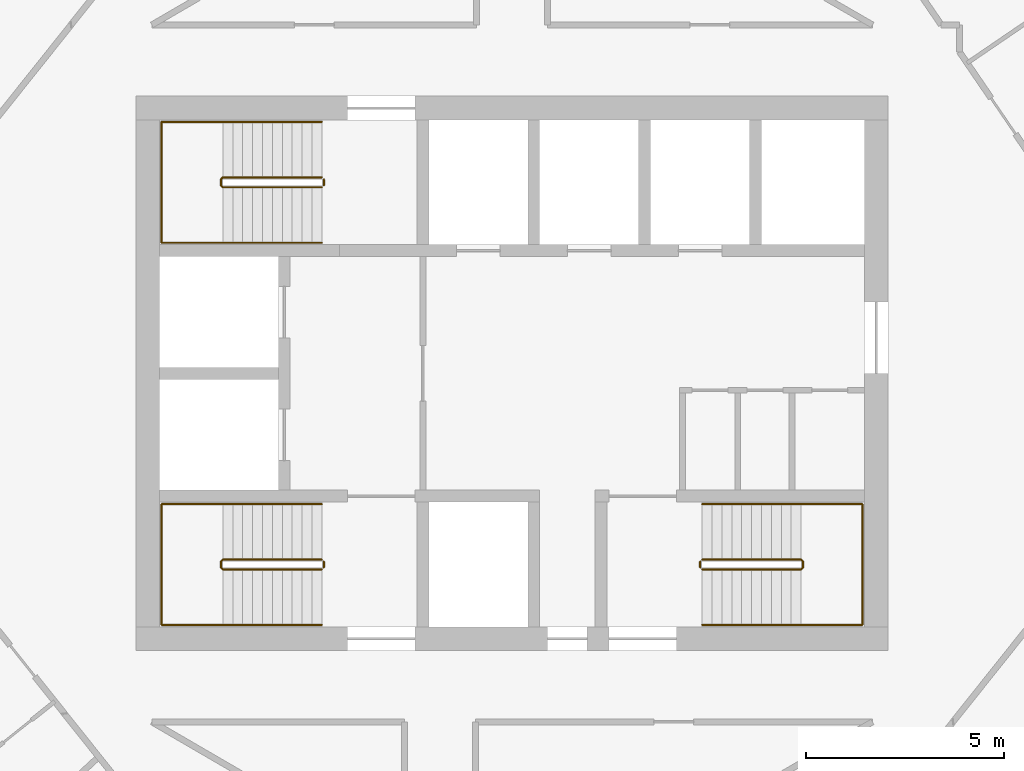
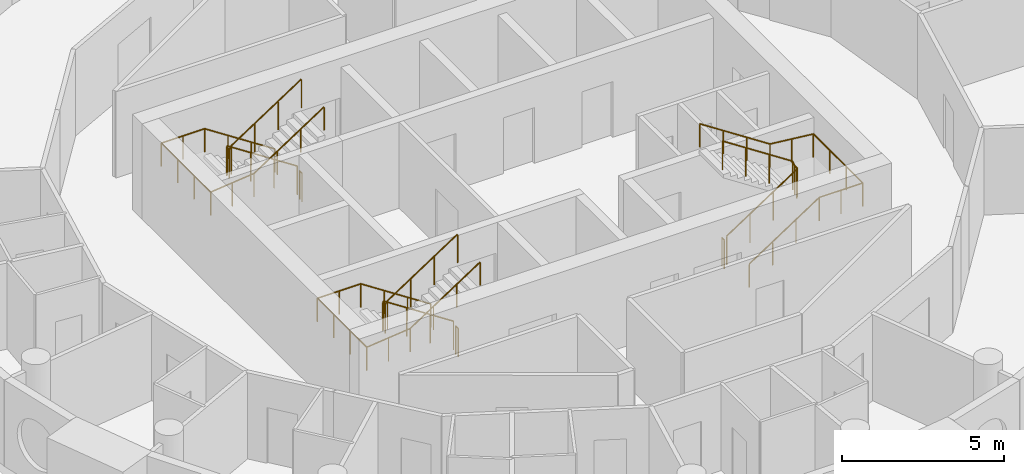
# One storey, part 12 of 12: 9 railings.
"""IFC4 building model written with IfcOpenShell, lengths in metres."""

import ifcopenshell
import ifcopenshell.guid

model = None  # the IFC model being written
_history = None  # IfcOwnerHistory: only IFC2X3 demands one
_inside = {}  # id of a spatial element -> (the spatial element, [elements in it])
_under = {}  # id of a project, library or spatial element -> (it, [spatial elements below it])
_declared = {}  # id of a project -> (the project, [libraries it declares])
_typed = {}  # id of a type object -> (the type object, [elements of that type])
_made_of = {}  # id of a material, layer set ... -> (it, [elements and type objects made of it])


def new_model(schema):
    """Start an empty IFC model of exactly this schema.

    Asked for "IFC4X3", IfcOpenShell would pick the latest addendum, in which some entities
    have other attributes; the version numbers below select the first issue.
    IFC2X3 requires an IfcOwnerHistory on every rooted entity: one is made here for all.
    """
    global model, _history
    if schema == "IFC4X3":
        model = ifcopenshell.file(schema_version=(4, 3, 0, 0))
    else:
        model = ifcopenshell.file(schema=schema)
    _inside.clear()
    _under.clear()
    _declared.clear()
    _typed.clear()
    _made_of.clear()
    _history = None
    if model.schema == "IFC2X3":
        org = make("IfcOrganization", Name="unknown")
        user = make(
            "IfcPersonAndOrganization",
            ThePerson=make("IfcPerson", FamilyName="unknown"),
            TheOrganization=org,
        )
        app = make(
            "IfcApplication",
            ApplicationDeveloper=org,
            Version="unknown",
            ApplicationFullName="unknown",
            ApplicationIdentifier="unknown",
        )
        _history = make(
            "IfcOwnerHistory",
            OwningUser=user,
            OwningApplication=app,
            ChangeAction="ADDED",
            CreationDate=0,
        )
    return model


def make(cls, **values):
    """One entity of the class cls with the attributes given. An attribute that is None is left unset."""
    return model.create_entity(
        cls, **{name: value for name, value in values.items() if value is not None}
    )


def rooted(cls, **values):
    """An entity with a GlobalId (a new one), such as an element, a storey or a relation."""
    return make(cls, GlobalId=ifcopenshell.guid.new(), OwnerHistory=_history, **values)


def si_unit(unit_type, name, prefix=None):
    """IfcSIUnit, for example si_unit("LENGTHUNIT", "METRE", prefix="MILLI")."""
    return make("IfcSIUnit", UnitType=unit_type, Prefix=prefix, Name=name)


def assignment(units):
    """IfcUnitAssignment: the units of a project."""
    return None if units is None else make("IfcUnitAssignment", Units=units)


def point(xyz):
    """IfcCartesianPoint."""
    return None if xyz is None else make("IfcCartesianPoint", Coordinates=xyz)


def direction(xyz):
    """IfcDirection."""
    return None if xyz is None else make("IfcDirection", DirectionRatios=xyz)


def frame(location, z_axis=None, x_axis=None):
    """IfcAxis2Placement3D, a coordinate frame: its origin and axes. An axis left out is left unset."""
    return make(
        "IfcAxis2Placement3D",
        Location=point(location),
        Axis=direction(z_axis),
        RefDirection=direction(x_axis),
    )


def frame_2d(location, x_axis=None):
    """IfcAxis2Placement2D, a coordinate frame in the plane: its origin and x axis."""
    return make(
        "IfcAxis2Placement2D", Location=point(location), RefDirection=direction(x_axis)
    )


def origin():
    """The frame at (0, 0, 0) with its axes left unset."""
    return frame((0.0, 0.0, 0.0))


def origin_2d():
    """The frame at (0, 0) in the plane with its x axis left unset."""
    return frame_2d((0.0, 0.0))


def place(relative_to, where):
    """IfcLocalPlacement: puts the frame where relative to a parent placement (None: the world)."""
    return make(
        "IfcLocalPlacement", PlacementRelTo=relative_to, RelativePlacement=where
    )


def context(
    kind, dimensions, precision=None, world=None, true_north=None, identifier=None
):
    """IfcGeometricRepresentationContext, for example the 3D "Model" context."""
    return make(
        "IfcGeometricRepresentationContext",
        ContextIdentifier=identifier,
        ContextType=kind,
        CoordinateSpaceDimension=dimensions,
        Precision=precision,
        WorldCoordinateSystem=world,
        TrueNorth=true_north,
    )


def subcontext(parent, identifier, kind, view, scale=None):
    """IfcGeometricRepresentationSubContext, for example "Body" below "Model"."""
    return make(
        "IfcGeometricRepresentationSubContext",
        ContextIdentifier=identifier,
        ContextType=kind,
        ParentContext=parent,
        TargetScale=scale,
        TargetView=view,
    )


def project(units=None, contexts=None):
    """IfcProject with its units and contexts."""
    return rooted(
        "IfcProject",
        Name="project",
        RepresentationContexts=contexts,
        UnitsInContext=assignment(units),
    )


def spatial(cls, under=None, at=None, **own):
    """A site, building, storey or space (cls), placed at a placement, below another one or the project."""
    s = rooted(cls, ObjectPlacement=at, **own)
    if under is not None:
        _under.setdefault(under.id(), (under, []))[1].append(s)
    return s


def profile(cls, at=None, kind="AREA", **sizes):
    """A parametric profile (cls). Its sizes go by their IFC names, for example OverallWidth=200.0."""
    return make(cls, ProfileType=kind, Position=at, **sizes)


def circle(**sizes):
    """IfcCircleProfileDef."""
    return profile("IfcCircleProfileDef", **sizes)


def extrude(swept, where, along, depth):
    """IfcExtrudedAreaSolid: the profile swept, set in the frame where, extruded along a direction by depth."""
    return make(
        "IfcExtrudedAreaSolid",
        SweptArea=swept,
        Position=where,
        ExtrudedDirection=direction(along),
        Depth=depth,
    )


def shape(context_of_items, identifier, shape_type, items):
    """IfcShapeRepresentation: the items that make up one representation, for example the "Body"."""
    return make(
        "IfcShapeRepresentation",
        ContextOfItems=context_of_items,
        RepresentationIdentifier=identifier,
        RepresentationType=shape_type,
        Items=items,
    )


def material(Name=None, Category=None):
    """IfcMaterial."""
    return make("IfcMaterial", Name=Name, Category=Category)


def made_of(thing, what):
    """Note that an element or type object is made of a material, layer set ...; save() writes the relation."""
    if what is not None:
        _made_of.setdefault(what.id(), (what, []))[1].append(thing)
    return thing


def type_object(cls, material=None, **own):
    """A type object (cls), such as IfcWallType, which elements share."""
    return made_of(rooted(cls, **own), material)


def element(
    cls,
    number,
    at=None,
    inside=None,
    cuts=None,
    type_object=None,
    material=None,
    context=None,
    identifier="Body",
    shape_type=None,
    held_by="IfcProductDefinitionShape",
    body=None,
    shapes=None,
    **own,
):
    """One element of the class cls, such as IfcWall. Its Tag is "e" and its number.

    at: its placement. inside: the storey or other place that contains it. cuts: it is an
    opening in that element (IfcRelVoidsElement). A single representation is given by context,
    identifier, shape_type and body (its items); several are given by shapes. held_by: the class
    of the entity that holds the representations. save() writes the other relations.
    """
    e = rooted(cls, Tag="e%d" % number, ObjectPlacement=at, **own)
    if body is not None:
        shapes = [shape(context, identifier, shape_type, body)]
    if shapes is not None:
        e.Representation = make(held_by, Representations=shapes)
    if inside is not None:
        _inside.setdefault(inside.id(), (inside, []))[1].append(e)
    if cuts is not None:
        rooted(
            "IfcRelVoidsElement", RelatingBuildingElement=cuts, RelatedOpeningElement=e
        )
    if type_object is not None:
        _typed.setdefault(type_object.id(), (type_object, []))[1].append(e)
    return made_of(e, material)


def aggregate(whole, parts):
    """IfcRelAggregates: a whole, such as a stair, and the parts it consists of."""
    return rooted("IfcRelAggregates", RelatingObject=whole, RelatedObjects=parts)


def save(model, path):
    """Write the relations noted so far, then the file.

    IfcRelAggregates (storeys below a building ...), IfcRelContainedInSpatialStructure (elements
    in a storey), IfcRelDefinesByType, IfcRelAssociatesMaterial and IfcRelDeclares: one each for
    every whole, place, type object, material and project.
    """
    for whole, parts in _under.values():
        aggregate(whole, parts)
    for where, things in _inside.values():
        rooted(
            "IfcRelContainedInSpatialStructure",
            RelatedElements=things,
            RelatingStructure=where,
        )
    for kind, things in _typed.values():
        rooted("IfcRelDefinesByType", RelatedObjects=things, RelatingType=kind)
    for what, things in _made_of.values():
        rooted("IfcRelAssociatesMaterial", RelatedObjects=things, RelatingMaterial=what)
    for by, libraries in _declared.values():
        rooted("IfcRelDeclares", RelatingContext=by, RelatedDefinitions=libraries)
    model.write(path)


model = new_model("IFC4")

# Units and contexts
model_context = context("Model", 3, precision=1e-05, world=origin(), true_north=direction((0.0, 1.0)))
body_context = subcontext(model_context, "Body", "Model", "MODEL_VIEW")
ifc_project = project(units=[si_unit("LENGTHUNIT", "METRE"), si_unit("AREAUNIT", "SQUARE_METRE"), si_unit("VOLUMEUNIT", "CUBIC_METRE"), si_unit("PLANEANGLEUNIT", "RADIAN"), si_unit("MASSUNIT", "GRAM", prefix="KILO")], contexts=[model_context])

# Site, building, storey
site_placement = place(None, origin())
site = spatial("IfcSite", under=ifc_project, at=site_placement, CompositionType="ELEMENT")
building_placement = place(site_placement, origin())
building = spatial("IfcBuilding", under=site, at=building_placement, Name="Tracery Tower", CompositionType="ELEMENT")
storey_placement = place(building_placement, frame((0.0, 0.0, 291.0)))
storey = spatial("IfcBuildingStorey", under=building, at=storey_placement, Name="L75", CompositionType="ELEMENT", Elevation=291.0)

# Railings
ifc_material_1 = material(Name="Stainless steel and laminated glass", Category="steel")
railing_type_1 = type_object("IfcRailingType", Name="Stair guard 1100", PredefinedType="GUARDRAIL", material=ifc_material_1)
railing_1_placement = place(storey_placement, frame((-4.800048828125, -4.699951171875, 0.16357421875)))
element("IfcRailing", 1, at=railing_1_placement, inside=storey, type_object=railing_type_1, Name="L75 stair ST1 guard 1", PredefinedType="GUARDRAIL", context=body_context, shape_type="SweptSolid", body=[
    extrude(circle(Radius=0.02392578125, at=origin_2d()), frame((0.0, 0.0, 1.076171875), z_axis=(-0.83668449804, 0.0, 0.54768517484), x_axis=(0.0, -1.0, 0.0)), (0.0, 0.0, 1.0), 2.988037109375),
    extrude(circle(Radius=0.02392578125, at=origin_2d()), frame((-2.5, 0.0, 2.71240234375), z_axis=(-0.707106781187, -0.707106781187, 0.0), x_axis=(0.707106781187, -0.707106781187, 0.0)), (0.0, 0.0, 1.0), 0.07080078125),
    extrude(circle(Radius=0.02392578125, at=origin_2d()), frame((-2.550048828125, -0.050048828125, 2.71240234375), z_axis=(0.0, -1.0, 0.0), x_axis=(1.0, 0.0, 0.0)), (0.0, 0.0, 1.0), 0.14990234375),
    extrude(circle(Radius=0.02392578125, at=origin_2d()), frame((-2.550048828125, -0.199951171875, 2.71240234375), z_axis=(0.280808744504, -0.280808744504, 0.917765164963), x_axis=(0.707106781187, 0.707106781187, 0.0)), (0.0, 0.0, 1.0), 0.17822265625),
    extrude(circle(Radius=0.02392578125, at=origin_2d()), frame((-2.5, -0.25, 2.8759765625), z_axis=(0.83668449804, 0.0, 0.54768517484), x_axis=(0.0, 1.0, 0.0)), (0.0, 0.0, 1.0), 2.988037109375),
    extrude(circle(Radius=0.02099609375, at=origin_2d()), origin(), (0.0, 0.0, 1.0), 1.052001953125),
    extrude(circle(Radius=0.02099609375, at=origin_2d()), frame((-0.833251953125, 0.0, 0.54541015625)), (0.0, 0.0, 1.0), 1.052001953125),
    extrude(circle(Radius=0.02099609375, at=origin_2d()), frame((-1.666748046875, 0.0, 1.091064453125)), (0.0, 0.0, 1.0), 1.052001953125),
    extrude(circle(Radius=0.02099609375, at=origin_2d()), frame((-2.5, 0.0, 1.636474609375)), (0.0, 0.0, 1.0), 1.052001953125),
    extrude(circle(Radius=0.02099609375, at=origin_2d()), frame((-2.550048828125, -0.050048828125, 1.636474609375)), (0.0, 0.0, 1.0), 1.052001953125),
    extrude(circle(Radius=0.02099609375, at=origin_2d()), frame((-2.550048828125, -0.199951171875, 1.636474609375)), (0.0, 0.0, 1.0), 1.052001953125),
    extrude(circle(Radius=0.02099609375, at=origin_2d()), frame((-2.5, -0.25, 1.800048828125)), (0.0, 0.0, 1.0), 1.052001953125),
    extrude(circle(Radius=0.02099609375, at=origin_2d()), frame((-1.666748046875, -0.25, 2.345458984375)), (0.0, 0.0, 1.0), 1.052001953125),
    extrude(circle(Radius=0.02099609375, at=origin_2d()), frame((-0.833251953125, -0.25, 2.89111328125)), (0.0, 0.0, 1.0), 1.052001953125),
    extrude(circle(Radius=0.02099609375, at=origin_2d()), frame((0.0, -0.25, 3.4365234375)), (0.0, 0.0, 1.0), 1.052001953125),
])
railing_2_placement = place(storey_placement, frame((-4.75, -4.75, 0.0)))
element("IfcRailing", 2, at=railing_2_placement, inside=storey, type_object=railing_type_1, Name="L75 stair ST1 guard 2", PredefinedType="GUARDRAIL", context=body_context, shape_type="SweptSolid", body=[
    extrude(circle(Radius=0.02392578125, at=origin_2d()), frame((0.0, 0.0, 1.076171875), z_axis=(0.0, -1.0, 0.0), x_axis=(1.0, 0.0, 0.0)), (0.0, 0.0, 1.0), 0.14990234375),
    extrude(circle(Radius=0.02099609375, at=origin_2d()), origin(), (0.0, 0.0, 1.0), 1.052001953125),
    extrude(circle(Radius=0.02099609375, at=origin_2d()), frame((0.0, -0.14990234375, 0.0)), (0.0, 0.0, 1.0), 1.052001953125),
])
railing_3_placement = place(storey_placement, frame((-4.800048828125, 4.949951171875, 0.16357421875)))
element("IfcRailing", 3, at=railing_3_placement, inside=storey, type_object=railing_type_1, Name="L75 stair ST3 guard 1", PredefinedType="GUARDRAIL", context=body_context, shape_type="SweptSolid", body=[
    extrude(circle(Radius=0.02392578125, at=origin_2d()), frame((0.0, 0.0, 1.076171875), z_axis=(-0.83668449804, 0.0, 0.54768517484), x_axis=(0.0, -1.0, 0.0)), (0.0, 0.0, 1.0), 2.988037109375),
    extrude(circle(Radius=0.02392578125, at=origin_2d()), frame((-2.5, 0.0, 2.71240234375), z_axis=(-0.707106781187, -0.707106781187, 0.0), x_axis=(0.707106781187, -0.707106781187, 0.0)), (0.0, 0.0, 1.0), 0.07080078125),
    extrude(circle(Radius=0.02392578125, at=origin_2d()), frame((-2.550048828125, -0.050048828125, 2.71240234375), z_axis=(0.0, -1.0, 0.0), x_axis=(1.0, 0.0, 0.0)), (0.0, 0.0, 1.0), 0.14990234375),
    extrude(circle(Radius=0.02392578125, at=origin_2d()), frame((-2.550048828125, -0.199951171875, 2.71240234375), z_axis=(0.280808744504, -0.280808744504, 0.917765164963), x_axis=(0.707106781187, 0.707106781187, 0.0)), (0.0, 0.0, 1.0), 0.17822265625),
    extrude(circle(Radius=0.02392578125, at=origin_2d()), frame((-2.5, -0.25, 2.8759765625), z_axis=(0.83668449804, 0.0, 0.54768517484), x_axis=(0.0, 1.0, 0.0)), (0.0, 0.0, 1.0), 2.988037109375),
    extrude(circle(Radius=0.02099609375, at=origin_2d()), origin(), (0.0, 0.0, 1.0), 1.052001953125),
    extrude(circle(Radius=0.02099609375, at=origin_2d()), frame((-0.833251953125, 0.0, 0.54541015625)), (0.0, 0.0, 1.0), 1.052001953125),
    extrude(circle(Radius=0.02099609375, at=origin_2d()), frame((-1.666748046875, 0.0, 1.091064453125)), (0.0, 0.0, 1.0), 1.052001953125),
    extrude(circle(Radius=0.02099609375, at=origin_2d()), frame((-2.5, 0.0, 1.636474609375)), (0.0, 0.0, 1.0), 1.052001953125),
    extrude(circle(Radius=0.02099609375, at=origin_2d()), frame((-2.550048828125, -0.050048828125, 1.636474609375)), (0.0, 0.0, 1.0), 1.052001953125),
    extrude(circle(Radius=0.02099609375, at=origin_2d()), frame((-2.550048828125, -0.199951171875, 1.636474609375)), (0.0, 0.0, 1.0), 1.052001953125),
    extrude(circle(Radius=0.02099609375, at=origin_2d()), frame((-2.5, -0.25, 1.800048828125)), (0.0, 0.0, 1.0), 1.052001953125),
    extrude(circle(Radius=0.02099609375, at=origin_2d()), frame((-1.666748046875, -0.25, 2.345458984375)), (0.0, 0.0, 1.0), 1.052001953125),
    extrude(circle(Radius=0.02099609375, at=origin_2d()), frame((-0.833251953125, -0.25, 2.89111328125)), (0.0, 0.0, 1.0), 1.052001953125),
    extrude(circle(Radius=0.02099609375, at=origin_2d()), frame((0.0, -0.25, 3.4365234375)), (0.0, 0.0, 1.0), 1.052001953125),
])
railing_4_placement = place(storey_placement, frame((-4.75, 4.89990234375, 0.0)))
element("IfcRailing", 4, at=railing_4_placement, inside=storey, type_object=railing_type_1, Name="L75 stair ST3 guard 2", PredefinedType="GUARDRAIL", context=body_context, shape_type="SweptSolid", body=[
    extrude(circle(Radius=0.02392578125, at=origin_2d()), frame((0.0, 0.0, 1.076171875), z_axis=(0.0, -1.0, 0.0), x_axis=(1.0, 0.0, 0.0)), (0.0, 0.0, 1.0), 0.14990234375),
    extrude(circle(Radius=0.02099609375, at=origin_2d()), origin(), (0.0, 0.0, 1.0), 1.052001953125),
    extrude(circle(Radius=0.02099609375, at=origin_2d()), frame((0.0, -0.14990234375, 0.0)), (0.0, 0.0, 1.0), 1.052001953125),
])
railing_5_placement = place(storey_placement, frame((4.800048828125, -4.949951171875, 0.16357421875)))
element("IfcRailing", 5, at=railing_5_placement, inside=storey, type_object=railing_type_1, Name="L75 stair ST2 guard 1", PredefinedType="GUARDRAIL", context=body_context, shape_type="SweptSolid", body=[
    extrude(circle(Radius=0.02392578125, at=origin_2d()), frame((0.0, 0.0, 1.076171875), z_axis=(0.83668449804, 0.0, 0.54768517484), x_axis=(0.0, 1.0, 0.0)), (0.0, 0.0, 1.0), 2.988037109375),
    extrude(circle(Radius=0.02392578125, at=origin_2d()), frame((2.5, 0.0, 2.71240234375), z_axis=(0.707106781187, 0.707106781187, 0.0), x_axis=(-0.707106781187, 0.707106781187, 0.0)), (0.0, 0.0, 1.0), 0.07080078125),
    extrude(circle(Radius=0.02392578125, at=origin_2d()), frame((2.550048828125, 0.050048828125, 2.71240234375), z_axis=(0.0, 1.0, 0.0), x_axis=(-1.0, 0.0, 0.0)), (0.0, 0.0, 1.0), 0.14990234375),
    extrude(circle(Radius=0.02392578125, at=origin_2d()), frame((2.550048828125, 0.199951171875, 2.71240234375), z_axis=(-0.280808744504, 0.280808744504, 0.917765164963), x_axis=(-0.707106781187, -0.707106781187, 0.0)), (0.0, 0.0, 1.0), 0.17822265625),
    extrude(circle(Radius=0.02392578125, at=origin_2d()), frame((2.5, 0.25, 2.8759765625), z_axis=(-0.83668449804, 0.0, 0.54768517484), x_axis=(0.0, -1.0, 0.0)), (0.0, 0.0, 1.0), 2.988037109375),
    extrude(circle(Radius=0.02099609375, at=origin_2d()), origin(), (0.0, 0.0, 1.0), 1.052001953125),
    extrude(circle(Radius=0.02099609375, at=origin_2d()), frame((0.833251953125, 0.0, 0.54541015625)), (0.0, 0.0, 1.0), 1.052001953125),
    extrude(circle(Radius=0.02099609375, at=origin_2d()), frame((1.666748046875, 0.0, 1.091064453125)), (0.0, 0.0, 1.0), 1.052001953125),
    extrude(circle(Radius=0.02099609375, at=origin_2d()), frame((2.5, 0.0, 1.636474609375)), (0.0, 0.0, 1.0), 1.052001953125),
    extrude(circle(Radius=0.02099609375, at=origin_2d()), frame((2.550048828125, 0.050048828125, 1.636474609375)), (0.0, 0.0, 1.0), 1.052001953125),
    extrude(circle(Radius=0.02099609375, at=origin_2d()), frame((2.550048828125, 0.199951171875, 1.636474609375)), (0.0, 0.0, 1.0), 1.052001953125),
    extrude(circle(Radius=0.02099609375, at=origin_2d()), frame((2.5, 0.25, 1.800048828125)), (0.0, 0.0, 1.0), 1.052001953125),
    extrude(circle(Radius=0.02099609375, at=origin_2d()), frame((1.666748046875, 0.25, 2.345458984375)), (0.0, 0.0, 1.0), 1.052001953125),
    extrude(circle(Radius=0.02099609375, at=origin_2d()), frame((0.833251953125, 0.25, 2.89111328125)), (0.0, 0.0, 1.0), 1.052001953125),
    extrude(circle(Radius=0.02099609375, at=origin_2d()), frame((0.0, 0.25, 3.4365234375)), (0.0, 0.0, 1.0), 1.052001953125),
])
railing_6_placement = place(storey_placement, frame((4.75, -4.89990234375, 0.0)))
element("IfcRailing", 6, at=railing_6_placement, inside=storey, type_object=railing_type_1, Name="L75 stair ST2 guard 2", PredefinedType="GUARDRAIL", context=body_context, shape_type="SweptSolid", body=[
    extrude(circle(Radius=0.02392578125, at=origin_2d()), frame((0.0, 0.0, 1.076171875), z_axis=(0.0, 1.0, 0.0), x_axis=(-1.0, 0.0, 0.0)), (0.0, 0.0, 1.0), 0.14990234375),
    extrude(circle(Radius=0.02099609375, at=origin_2d()), origin(), (0.0, 0.0, 1.0), 1.052001953125),
    extrude(circle(Radius=0.02099609375, at=origin_2d()), frame((0.0, 0.14990234375, 0.0)), (0.0, 0.0, 1.0), 1.052001953125),
])
ifc_material_2 = material(Name="Stainless steel and laminated glass", Category="steel")
railing_type_2 = type_object("IfcRailingType", Name="Stair handrail 900", PredefinedType="HANDRAIL", material=ifc_material_2)
railing_7_placement = place(storey_placement, frame((-4.800048828125, -3.300048828125, 0.16357421875)))
element("IfcRailing", 7, at=railing_7_placement, inside=storey, type_object=railing_type_2, Name="L75 stair ST1 handrail 1", PredefinedType="HANDRAIL", context=body_context, shape_type="SweptSolid", body=[
    extrude(circle(Radius=0.02392578125, at=origin_2d()), frame((0.0, 0.0, 0.8759765625), z_axis=(-0.83668449804, 0.0, 0.54768517484), x_axis=(0.0, -1.0, 0.0)), (0.0, 0.0, 1.0), 2.988037109375),
    extrude(circle(Radius=0.02392578125, at=origin_2d()), frame((-2.5, 0.0, 2.51220703125), z_axis=(-1.0, 0.0, 0.0), x_axis=(0.0, -1.0, 0.0)), (0.0, 0.0, 1.0), 1.550048828125),
    extrude(circle(Radius=0.02392578125, at=origin_2d()), frame((-4.050048828125, 0.0, 2.51220703125), z_axis=(0.0, -1.0, 0.0), x_axis=(1.0, 0.0, 0.0)), (0.0, 0.0, 1.0), 3.050048828125),
    extrude(circle(Radius=0.02392578125, at=origin_2d()), frame((-4.050048828125, -3.050048828125, 2.51220703125), z_axis=(0.994477953863, 0.0, 0.104945696817), x_axis=(0.0, 1.0, 0.0)), (0.0, 0.0, 1.0), 1.55859375),
    extrude(circle(Radius=0.02392578125, at=origin_2d()), frame((-2.5, -3.050048828125, 2.67578125), z_axis=(0.83668449804, 0.0, 0.54768517484), x_axis=(0.0, 1.0, 0.0)), (0.0, 0.0, 1.0), 2.988037109375),
    extrude(circle(Radius=0.02099609375, at=origin_2d()), origin(), (0.0, 0.0, 1.0), 0.851806640625),
    extrude(circle(Radius=0.02099609375, at=origin_2d()), frame((-0.833251953125, 0.0, 0.54541015625)), (0.0, 0.0, 1.0), 0.851806640625),
    extrude(circle(Radius=0.02099609375, at=origin_2d()), frame((-1.666748046875, 0.0, 1.091064453125)), (0.0, 0.0, 1.0), 0.851806640625),
    extrude(circle(Radius=0.02099609375, at=origin_2d()), frame((-2.5, 0.0, 1.636474609375)), (0.0, 0.0, 1.0), 0.851806640625),
    extrude(circle(Radius=0.02099609375, at=origin_2d()), frame((-3.27490234375, 0.0, 1.636474609375)), (0.0, 0.0, 1.0), 0.851806640625),
    extrude(circle(Radius=0.02099609375, at=origin_2d()), frame((-4.050048828125, 0.0, 1.636474609375)), (0.0, 0.0, 1.0), 0.851806640625),
    extrude(circle(Radius=0.02099609375, at=origin_2d()), frame((-4.050048828125, -1.0166015625, 1.636474609375)), (0.0, 0.0, 1.0), 0.851806640625),
    extrude(circle(Radius=0.02099609375, at=origin_2d()), frame((-4.050048828125, -2.033447265625, 1.636474609375)), (0.0, 0.0, 1.0), 0.851806640625),
    extrude(circle(Radius=0.02099609375, at=origin_2d()), frame((-4.050048828125, -3.050048828125, 1.636474609375)), (0.0, 0.0, 1.0), 0.851806640625),
    extrude(circle(Radius=0.02099609375, at=origin_2d()), frame((-3.27490234375, -3.050048828125, 1.71826171875)), (0.0, 0.0, 1.0), 0.851806640625),
    extrude(circle(Radius=0.02099609375, at=origin_2d()), frame((-2.5, -3.050048828125, 1.800048828125)), (0.0, 0.0, 1.0), 0.851806640625),
    extrude(circle(Radius=0.02099609375, at=origin_2d()), frame((-1.666748046875, -3.050048828125, 2.345458984375)), (0.0, 0.0, 1.0), 0.851806640625),
    extrude(circle(Radius=0.02099609375, at=origin_2d()), frame((-0.833251953125, -3.050048828125, 2.89111328125)), (0.0, 0.0, 1.0), 0.851806640625),
    extrude(circle(Radius=0.02099609375, at=origin_2d()), frame((0.0, -3.050048828125, 3.4365234375)), (0.0, 0.0, 1.0), 0.851806640625),
])
railing_8_placement = place(storey_placement, frame((-4.800048828125, 6.35009765625, 0.16357421875)))
element("IfcRailing", 8, at=railing_8_placement, inside=storey, type_object=railing_type_2, Name="L75 stair ST3 handrail 1", PredefinedType="HANDRAIL", context=body_context, shape_type="SweptSolid", body=[
    extrude(circle(Radius=0.02392578125, at=origin_2d()), frame((0.0, 0.0, 0.8759765625), z_axis=(-0.83668449804, 0.0, 0.54768517484), x_axis=(0.0, -1.0, 0.0)), (0.0, 0.0, 1.0), 2.988037109375),
    extrude(circle(Radius=0.02392578125, at=origin_2d()), frame((-2.5, 0.0, 2.51220703125), z_axis=(-1.0, 0.0, 0.0), x_axis=(0.0, -1.0, 0.0)), (0.0, 0.0, 1.0), 1.550048828125),
    extrude(circle(Radius=0.02392578125, at=origin_2d()), frame((-4.050048828125, 0.0, 2.51220703125), z_axis=(0.0, -1.0, 0.0), x_axis=(1.0, 0.0, 0.0)), (0.0, 0.0, 1.0), 3.050048828125),
    extrude(circle(Radius=0.02392578125, at=origin_2d()), frame((-4.050048828125, -3.050048828125, 2.51220703125), z_axis=(0.994477953863, 0.0, 0.104945696817), x_axis=(0.0, 1.0, 0.0)), (0.0, 0.0, 1.0), 1.55859375),
    extrude(circle(Radius=0.02392578125, at=origin_2d()), frame((-2.5, -3.050048828125, 2.67578125), z_axis=(0.83668449804, 0.0, 0.54768517484), x_axis=(0.0, 1.0, 0.0)), (0.0, 0.0, 1.0), 2.988037109375),
    extrude(circle(Radius=0.02099609375, at=origin_2d()), origin(), (0.0, 0.0, 1.0), 0.851806640625),
    extrude(circle(Radius=0.02099609375, at=origin_2d()), frame((-0.833251953125, 0.0, 0.54541015625)), (0.0, 0.0, 1.0), 0.851806640625),
    extrude(circle(Radius=0.02099609375, at=origin_2d()), frame((-1.666748046875, 0.0, 1.091064453125)), (0.0, 0.0, 1.0), 0.851806640625),
    extrude(circle(Radius=0.02099609375, at=origin_2d()), frame((-2.5, 0.0, 1.636474609375)), (0.0, 0.0, 1.0), 0.851806640625),
    extrude(circle(Radius=0.02099609375, at=origin_2d()), frame((-3.27490234375, 0.0, 1.636474609375)), (0.0, 0.0, 1.0), 0.851806640625),
    extrude(circle(Radius=0.02099609375, at=origin_2d()), frame((-4.050048828125, 0.0, 1.636474609375)), (0.0, 0.0, 1.0), 0.851806640625),
    extrude(circle(Radius=0.02099609375, at=origin_2d()), frame((-4.050048828125, -1.0166015625, 1.636474609375)), (0.0, 0.0, 1.0), 0.851806640625),
    extrude(circle(Radius=0.02099609375, at=origin_2d()), frame((-4.050048828125, -2.033447265625, 1.636474609375)), (0.0, 0.0, 1.0), 0.851806640625),
    extrude(circle(Radius=0.02099609375, at=origin_2d()), frame((-4.050048828125, -3.050048828125, 1.636474609375)), (0.0, 0.0, 1.0), 0.851806640625),
    extrude(circle(Radius=0.02099609375, at=origin_2d()), frame((-3.27490234375, -3.050048828125, 1.71826171875)), (0.0, 0.0, 1.0), 0.851806640625),
    extrude(circle(Radius=0.02099609375, at=origin_2d()), frame((-2.5, -3.050048828125, 1.800048828125)), (0.0, 0.0, 1.0), 0.851806640625),
    extrude(circle(Radius=0.02099609375, at=origin_2d()), frame((-1.666748046875, -3.050048828125, 2.345458984375)), (0.0, 0.0, 1.0), 0.851806640625),
    extrude(circle(Radius=0.02099609375, at=origin_2d()), frame((-0.833251953125, -3.050048828125, 2.89111328125)), (0.0, 0.0, 1.0), 0.851806640625),
    extrude(circle(Radius=0.02099609375, at=origin_2d()), frame((0.0, -3.050048828125, 3.4365234375)), (0.0, 0.0, 1.0), 0.851806640625),
])
railing_9_placement = place(storey_placement, frame((4.800048828125, -6.35009765625, 0.16357421875)))
element("IfcRailing", 9, at=railing_9_placement, inside=storey, type_object=railing_type_2, Name="L75 stair ST2 handrail 1", PredefinedType="HANDRAIL", context=body_context, shape_type="SweptSolid", body=[
    extrude(circle(Radius=0.02392578125, at=origin_2d()), frame((0.0, 0.0, 0.8759765625), z_axis=(0.83668449804, 0.0, 0.54768517484), x_axis=(0.0, 1.0, 0.0)), (0.0, 0.0, 1.0), 2.988037109375),
    extrude(circle(Radius=0.02392578125, at=origin_2d()), frame((2.5, 0.0, 2.51220703125), z_axis=(1.0, 0.0, 0.0), x_axis=(0.0, 1.0, 0.0)), (0.0, 0.0, 1.0), 1.550048828125),
    extrude(circle(Radius=0.02392578125, at=origin_2d()), frame((4.050048828125, 0.0, 2.51220703125), z_axis=(0.0, 1.0, 0.0), x_axis=(-1.0, 0.0, 0.0)), (0.0, 0.0, 1.0), 3.050048828125),
    extrude(circle(Radius=0.02392578125, at=origin_2d()), frame((4.050048828125, 3.050048828125, 2.51220703125), z_axis=(-0.994477953863, 0.0, 0.104945696817), x_axis=(0.0, -1.0, 0.0)), (0.0, 0.0, 1.0), 1.55859375),
    extrude(circle(Radius=0.02392578125, at=origin_2d()), frame((2.5, 3.050048828125, 2.67578125), z_axis=(-0.83668449804, 0.0, 0.54768517484), x_axis=(0.0, -1.0, 0.0)), (0.0, 0.0, 1.0), 2.988037109375),
    extrude(circle(Radius=0.02099609375, at=origin_2d()), origin(), (0.0, 0.0, 1.0), 0.851806640625),
    extrude(circle(Radius=0.02099609375, at=origin_2d()), frame((0.833251953125, 0.0, 0.54541015625)), (0.0, 0.0, 1.0), 0.851806640625),
    extrude(circle(Radius=0.02099609375, at=origin_2d()), frame((1.666748046875, 0.0, 1.091064453125)), (0.0, 0.0, 1.0), 0.851806640625),
    extrude(circle(Radius=0.02099609375, at=origin_2d()), frame((2.5, 0.0, 1.636474609375)), (0.0, 0.0, 1.0), 0.851806640625),
    extrude(circle(Radius=0.02099609375, at=origin_2d()), frame((3.27490234375, 0.0, 1.636474609375)), (0.0, 0.0, 1.0), 0.851806640625),
    extrude(circle(Radius=0.02099609375, at=origin_2d()), frame((4.050048828125, 0.0, 1.636474609375)), (0.0, 0.0, 1.0), 0.851806640625),
    extrude(circle(Radius=0.02099609375, at=origin_2d()), frame((4.050048828125, 1.0166015625, 1.636474609375)), (0.0, 0.0, 1.0), 0.851806640625),
    extrude(circle(Radius=0.02099609375, at=origin_2d()), frame((4.050048828125, 2.033447265625, 1.636474609375)), (0.0, 0.0, 1.0), 0.851806640625),
    extrude(circle(Radius=0.02099609375, at=origin_2d()), frame((4.050048828125, 3.050048828125, 1.636474609375)), (0.0, 0.0, 1.0), 0.851806640625),
    extrude(circle(Radius=0.02099609375, at=origin_2d()), frame((3.27490234375, 3.050048828125, 1.71826171875)), (0.0, 0.0, 1.0), 0.851806640625),
    extrude(circle(Radius=0.02099609375, at=origin_2d()), frame((2.5, 3.050048828125, 1.800048828125)), (0.0, 0.0, 1.0), 0.851806640625),
    extrude(circle(Radius=0.02099609375, at=origin_2d()), frame((1.666748046875, 3.050048828125, 2.345458984375)), (0.0, 0.0, 1.0), 0.851806640625),
    extrude(circle(Radius=0.02099609375, at=origin_2d()), frame((0.833251953125, 3.050048828125, 2.89111328125)), (0.0, 0.0, 1.0), 0.851806640625),
    extrude(circle(Radius=0.02099609375, at=origin_2d()), frame((0.0, 3.050048828125, 3.4365234375)), (0.0, 0.0, 1.0), 0.851806640625),
])

save(model, "model.ifc")
